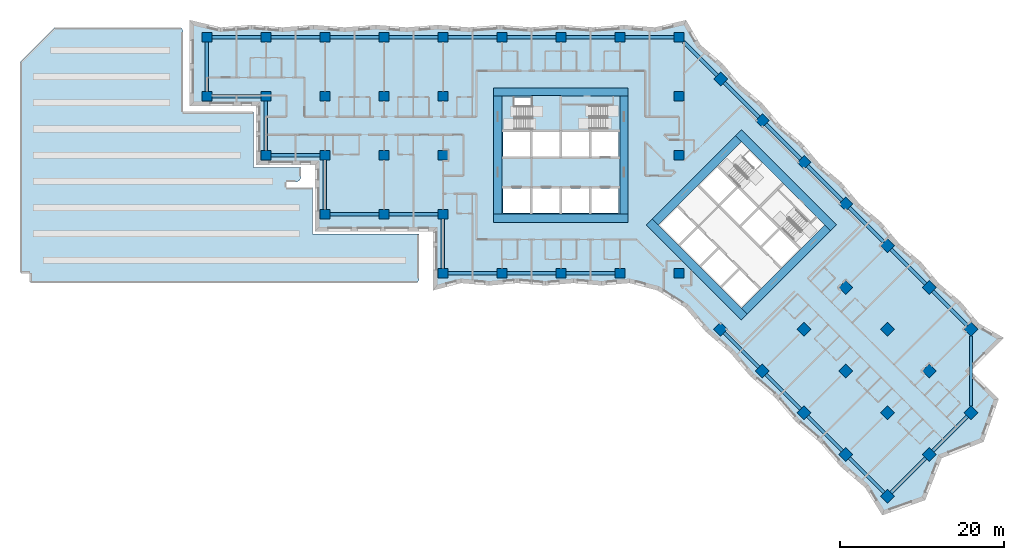
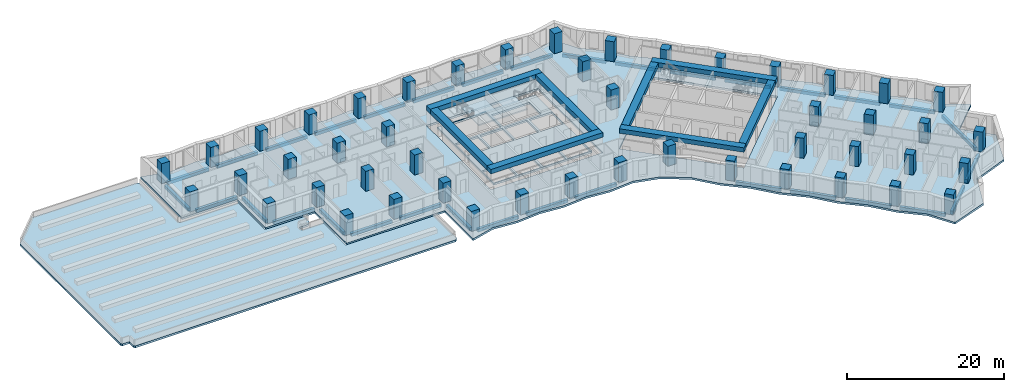
# One storey, part 1 of 15: 48 columns, 41 beams, 5 slabs, 12 openings, 2 elements without a shape of their own.
"""IFC4 building model written with IfcOpenShell, lengths in metres."""

import ifcopenshell
import ifcopenshell.guid

model = None  # the IFC model being written
_history = None  # IfcOwnerHistory: only IFC2X3 demands one
_inside = {}  # id of a spatial element -> (the spatial element, [elements in it])
_under = {}  # id of a project, library or spatial element -> (it, [spatial elements below it])
_declared = {}  # id of a project -> (the project, [libraries it declares])
_typed = {}  # id of a type object -> (the type object, [elements of that type])
_made_of = {}  # id of a material, layer set ... -> (it, [elements and type objects made of it])


def new_model(schema):
    """Start an empty IFC model of exactly this schema.

    Asked for "IFC4X3", IfcOpenShell would pick the latest addendum, in which some entities
    have other attributes; the version numbers below select the first issue.
    IFC2X3 requires an IfcOwnerHistory on every rooted entity: one is made here for all.
    """
    global model, _history
    if schema == "IFC4X3":
        model = ifcopenshell.file(schema_version=(4, 3, 0, 0))
    else:
        model = ifcopenshell.file(schema=schema)
    _inside.clear()
    _under.clear()
    _declared.clear()
    _typed.clear()
    _made_of.clear()
    _history = None
    if model.schema == "IFC2X3":
        org = make("IfcOrganization", Name="unknown")
        user = make(
            "IfcPersonAndOrganization",
            ThePerson=make("IfcPerson", FamilyName="unknown"),
            TheOrganization=org,
        )
        app = make(
            "IfcApplication",
            ApplicationDeveloper=org,
            Version="unknown",
            ApplicationFullName="unknown",
            ApplicationIdentifier="unknown",
        )
        _history = make(
            "IfcOwnerHistory",
            OwningUser=user,
            OwningApplication=app,
            ChangeAction="ADDED",
            CreationDate=0,
        )
    return model


def make(cls, **values):
    """One entity of the class cls with the attributes given. An attribute that is None is left unset."""
    return model.create_entity(
        cls, **{name: value for name, value in values.items() if value is not None}
    )


def rooted(cls, **values):
    """An entity with a GlobalId (a new one), such as an element, a storey or a relation."""
    return make(cls, GlobalId=ifcopenshell.guid.new(), OwnerHistory=_history, **values)


def si_unit(unit_type, name, prefix=None):
    """IfcSIUnit, for example si_unit("LENGTHUNIT", "METRE", prefix="MILLI")."""
    return make("IfcSIUnit", UnitType=unit_type, Prefix=prefix, Name=name)


def assignment(units):
    """IfcUnitAssignment: the units of a project."""
    return None if units is None else make("IfcUnitAssignment", Units=units)


def point(xyz):
    """IfcCartesianPoint."""
    return None if xyz is None else make("IfcCartesianPoint", Coordinates=xyz)


def direction(xyz):
    """IfcDirection."""
    return None if xyz is None else make("IfcDirection", DirectionRatios=xyz)


def frame(location, z_axis=None, x_axis=None):
    """IfcAxis2Placement3D, a coordinate frame: its origin and axes. An axis left out is left unset."""
    return make(
        "IfcAxis2Placement3D",
        Location=point(location),
        Axis=direction(z_axis),
        RefDirection=direction(x_axis),
    )


def frame_2d(location, x_axis=None):
    """IfcAxis2Placement2D, a coordinate frame in the plane: its origin and x axis."""
    return make(
        "IfcAxis2Placement2D", Location=point(location), RefDirection=direction(x_axis)
    )


def origin():
    """The frame at (0, 0, 0) with its axes left unset."""
    return frame((0.0, 0.0, 0.0))


def origin_2d():
    """The frame at (0, 0) in the plane with its x axis left unset."""
    return frame_2d((0.0, 0.0))


def place(relative_to, where):
    """IfcLocalPlacement: puts the frame where relative to a parent placement (None: the world)."""
    return make(
        "IfcLocalPlacement", PlacementRelTo=relative_to, RelativePlacement=where
    )


def context(
    kind, dimensions, precision=None, world=None, true_north=None, identifier=None
):
    """IfcGeometricRepresentationContext, for example the 3D "Model" context."""
    return make(
        "IfcGeometricRepresentationContext",
        ContextIdentifier=identifier,
        ContextType=kind,
        CoordinateSpaceDimension=dimensions,
        Precision=precision,
        WorldCoordinateSystem=world,
        TrueNorth=true_north,
    )


def subcontext(parent, identifier, kind, view, scale=None):
    """IfcGeometricRepresentationSubContext, for example "Body" below "Model"."""
    return make(
        "IfcGeometricRepresentationSubContext",
        ContextIdentifier=identifier,
        ContextType=kind,
        ParentContext=parent,
        TargetScale=scale,
        TargetView=view,
    )


def project(units=None, contexts=None):
    """IfcProject with its units and contexts."""
    return rooted(
        "IfcProject",
        Name="project",
        RepresentationContexts=contexts,
        UnitsInContext=assignment(units),
    )


def spatial(cls, under=None, at=None, **own):
    """A site, building, storey or space (cls), placed at a placement, below another one or the project."""
    s = rooted(cls, ObjectPlacement=at, **own)
    if under is not None:
        _under.setdefault(under.id(), (under, []))[1].append(s)
    return s


def polyline(points):
    """IfcPolyline through the points."""
    return make("IfcPolyline", Points=[point(p) for p in points])


def profile(cls, at=None, kind="AREA", **sizes):
    """A parametric profile (cls). Its sizes go by their IFC names, for example OverallWidth=200.0."""
    return make(cls, ProfileType=kind, Position=at, **sizes)


def rectangle(**sizes):
    """IfcRectangleProfileDef."""
    return profile("IfcRectangleProfileDef", **sizes)


def outline(outer, holes=None, kind="AREA"):
    """IfcArbitraryClosedProfileDef: a profile drawn as a closed curve; with holes, ...WithVoids."""
    if holes is None:
        return make("IfcArbitraryClosedProfileDef", ProfileType=kind, OuterCurve=outer)
    return make(
        "IfcArbitraryProfileDefWithVoids",
        ProfileType=kind,
        OuterCurve=outer,
        InnerCurves=holes,
    )


def extrude(swept, where, along, depth):
    """IfcExtrudedAreaSolid: the profile swept, set in the frame where, extruded along a direction by depth."""
    return make(
        "IfcExtrudedAreaSolid",
        SweptArea=swept,
        Position=where,
        ExtrudedDirection=direction(along),
        Depth=depth,
    )


def shape(context_of_items, identifier, shape_type, items):
    """IfcShapeRepresentation: the items that make up one representation, for example the "Body"."""
    return make(
        "IfcShapeRepresentation",
        ContextOfItems=context_of_items,
        RepresentationIdentifier=identifier,
        RepresentationType=shape_type,
        Items=items,
    )


def material(Name=None, Category=None):
    """IfcMaterial."""
    return make("IfcMaterial", Name=Name, Category=Category)


def layer(
    of_material, thickness, ventilated=None, Name=None, Category=None, Priority=None
):
    """IfcMaterialLayer: one layer of a wall or slab, of a material (None: an air gap)."""
    return make(
        "IfcMaterialLayer",
        Material=of_material,
        LayerThickness=thickness,
        IsVentilated=ventilated,
        Name=Name,
        Category=Category,
        Priority=Priority,
    )


def layer_set(layers, Name=None):
    """IfcMaterialLayerSet."""
    return make("IfcMaterialLayerSet", MaterialLayers=layers, LayerSetName=Name)


def material_profile(
    of_material, cross_section, Name=None, Category=None, Priority=None
):
    """IfcMaterialProfile: a cross section and its material."""
    return make(
        "IfcMaterialProfile",
        Name=Name,
        Material=of_material,
        Profile=cross_section,
        Priority=Priority,
        Category=Category,
    )


def profile_set(profiles, Name=None, composite=None):
    """IfcMaterialProfileSet."""
    return make(
        "IfcMaterialProfileSet",
        Name=Name,
        MaterialProfiles=profiles,
        CompositeProfile=composite,
    )


def made_of(thing, what):
    """Note that an element or type object is made of a material, layer set ...; save() writes the relation."""
    if what is not None:
        _made_of.setdefault(what.id(), (what, []))[1].append(thing)
    return thing


def type_object(cls, material=None, **own):
    """A type object (cls), such as IfcWallType, which elements share."""
    return made_of(rooted(cls, **own), material)


def element(
    cls,
    number,
    at=None,
    inside=None,
    cuts=None,
    type_object=None,
    material=None,
    context=None,
    identifier="Body",
    shape_type=None,
    held_by="IfcProductDefinitionShape",
    body=None,
    shapes=None,
    **own,
):
    """One element of the class cls, such as IfcWall. Its Tag is "e" and its number.

    at: its placement. inside: the storey or other place that contains it. cuts: it is an
    opening in that element (IfcRelVoidsElement). A single representation is given by context,
    identifier, shape_type and body (its items); several are given by shapes. held_by: the class
    of the entity that holds the representations. save() writes the other relations.
    """
    e = rooted(cls, Tag="e%d" % number, ObjectPlacement=at, **own)
    if body is not None:
        shapes = [shape(context, identifier, shape_type, body)]
    if shapes is not None:
        e.Representation = make(held_by, Representations=shapes)
    if inside is not None:
        _inside.setdefault(inside.id(), (inside, []))[1].append(e)
    if cuts is not None:
        rooted(
            "IfcRelVoidsElement", RelatingBuildingElement=cuts, RelatedOpeningElement=e
        )
    if type_object is not None:
        _typed.setdefault(type_object.id(), (type_object, []))[1].append(e)
    return made_of(e, material)


def aggregate(whole, parts):
    """IfcRelAggregates: a whole, such as a stair, and the parts it consists of."""
    return rooted("IfcRelAggregates", RelatingObject=whole, RelatedObjects=parts)


def save(model, path):
    """Write the relations noted so far, then the file.

    IfcRelAggregates (storeys below a building ...), IfcRelContainedInSpatialStructure (elements
    in a storey), IfcRelDefinesByType, IfcRelAssociatesMaterial and IfcRelDeclares: one each for
    every whole, place, type object, material and project.
    """
    for whole, parts in _under.values():
        aggregate(whole, parts)
    for where, things in _inside.values():
        rooted(
            "IfcRelContainedInSpatialStructure",
            RelatedElements=things,
            RelatingStructure=where,
        )
    for kind, things in _typed.values():
        rooted("IfcRelDefinesByType", RelatedObjects=things, RelatingType=kind)
    for what, things in _made_of.values():
        rooted("IfcRelAssociatesMaterial", RelatedObjects=things, RelatingMaterial=what)
    for by, libraries in _declared.values():
        rooted("IfcRelDeclares", RelatingContext=by, RelatedDefinitions=libraries)
    model.write(path)


model = new_model("IFC4")

# Units and contexts
model_context = context("Model", 3, precision=1e-05, world=origin(), true_north=direction((0.0, 1.0)))
body_context = subcontext(model_context, "Body", "Model", "MODEL_VIEW")
ifc_project = project(units=[si_unit("LENGTHUNIT", "METRE"), si_unit("AREAUNIT", "SQUARE_METRE"), si_unit("VOLUMEUNIT", "CUBIC_METRE"), si_unit("PLANEANGLEUNIT", "RADIAN"), si_unit("MASSUNIT", "GRAM", prefix="KILO")], contexts=[model_context])

# Site, building, storey
site_placement = place(None, origin())
site = spatial("IfcSite", under=ifc_project, at=site_placement, CompositionType="ELEMENT")
building_placement = place(site_placement, origin())
building = spatial("IfcBuilding", under=site, at=building_placement, Name="Windrow Commons", CompositionType="ELEMENT")
storey_placement = place(building_placement, frame((0.0, 0.0, 27.0)))
storey = spatial("IfcBuildingStorey", under=building, at=storey_placement, Name="L06", CompositionType="ELEMENT", Elevation=27.0)

# Columns
ifc_material_1 = material(Name="Concrete C60/75", Category="concrete")
ifc_material_profile_1 = material_profile(ifc_material_1, rectangle(XDim=1.2, YDim=1.2, at=origin_2d()))
ifc_profile_set_1 = profile_set([ifc_material_profile_1], Name="Concrete C60/75")
column_type = type_object("IfcColumnType", Name="RC COLUMN 1200x1200 C60/75", PredefinedType="COLUMN", material=ifc_profile_set_1)
for number, where, z_axis, x_axis, name in (
    (1, (21.6, 64.8, 0.0), (0.0, 0.0, 1.0), (1.0, 0.0, 0.0), "C-Z1-04I"),
    (2, (21.6, 72.0, 0.0), (0.0, 0.0, 1.0), (1.0, 0.0, 0.0), "C-Z1-04J"),
    (3, (28.8, 57.6, 0.0), (0.0, 0.0, 1.0), (1.0, 0.0, 0.0), "C-Z1-05H"),
    (4, (28.8, 64.8, 0.0), (0.0, 0.0, 1.0), (1.0, 0.0, 0.0), "C-Z1-05I"),
    (5, (28.8, 72.0, 0.0), (0.0, 0.0, 1.0), (1.0, 0.0, 0.0), "C-Z1-05J"),
    (6, (36.0, 50.4, 0.0), (0.0, 0.0, 1.0), (1.0, 0.0, 0.0), "C-Z1-06G"),
    (7, (36.0, 57.6, 0.0), (0.0, 0.0, 1.0), (1.0, 0.0, 0.0), "C-Z1-06H"),
    (8, (36.0, 64.8, 0.0), (0.0, 0.0, 1.0), (1.0, 0.0, 0.0), "C-Z1-06I"),
    (9, (36.0, 72.0, 0.0), (0.0, 0.0, 1.0), (1.0, 0.0, 0.0), "C-Z1-06J"),
    (10, (43.2, 50.4, 0.0), (0.0, 0.0, 1.0), (1.0, 0.0, 0.0), "C-Z1-07G"),
    (11, (43.2, 57.6, 0.0), (0.0, 0.0, 1.0), (1.0, 0.0, 0.0), "C-Z1-07H"),
    (12, (43.2, 64.8, 0.0), (0.0, 0.0, 1.0), (1.0, 0.0, 0.0), "C-Z1-07I"),
    (13, (43.2, 72.0, 0.0), (0.0, 0.0, 1.0), (1.0, 0.0, 0.0), "C-Z1-07J"),
    (14, (50.4, 43.2, 0.0), (0.0, 0.0, 1.0), (1.0, 0.0, 0.0), "C-Z1-08F"),
    (15, (50.4, 50.4, 0.0), (0.0, 0.0, 1.0), (1.0, 0.0, 0.0), "C-Z1-08G"),
    (16, (50.4, 57.6, 0.0), (0.0, 0.0, 1.0), (1.0, 0.0, 0.0), "C-Z1-08H"),
    (17, (50.4, 64.8, 0.0), (0.0, 0.0, 1.0), (1.0, 0.0, 0.0), "C-Z1-08I"),
    (18, (50.4, 72.0, 0.0), (0.0, 0.0, 1.0), (1.0, 0.0, 0.0), "C-Z1-08J"),
    (19, (57.6, 43.2, 0.0), (0.0, 0.0, 1.0), (1.0, 0.0, 0.0), "C-Z1-09F"),
    (20, (57.6, 72.0, 0.0), (0.0, 0.0, 1.0), (1.0, 0.0, 0.0), "C-Z1-09J"),
    (21, (64.8, 43.2, 0.0), (0.0, 0.0, 1.0), (1.0, 0.0, 0.0), "C-Z1-10F"),
    (22, (64.8, 72.0, 0.0), (0.0, 0.0, 1.0), (1.0, 0.0, 0.0), "C-Z1-10J"),
    (23, (72.0, 43.2, 0.0), (0.0, 0.0, 1.0), (1.0, 0.0, 0.0), "C-Z1-11F"),
    (24, (72.0, 72.0, 0.0), (0.0, 0.0, 1.0), (1.0, 0.0, 0.0), "C-Z1-11J"),
    (25, (79.2, 43.2, 0.0), (0.0, 0.0, 1.0), (1.0, 0.0, 0.0), "C-Z1-12F"),
    (26, (79.2, 57.6, 0.0), (0.0, 0.0, 1.0), (1.0, 0.0, 0.0), "C-Z1-12H"),
    (27, (79.2, 64.8, 0.0), (0.0, 0.0, 1.0), (1.0, 0.0, 0.0), "C-Z1-12I"),
    (28, (79.2, 72.0, 0.0), (0.0, 0.0, 1.0), (1.0, 0.0, 0.0), "C-Z1-12J"),
    (29, (84.2912, 66.9088, 0.0), (0.0, 0.0, 1.0), (0.7071067812, -0.7071067812, 0.0), "C-Z1-P2Q"),
    (30, (89.3823, 61.8177, 0.0), (0.0, 0.0, 1.0), (0.7071067812, -0.7071067812, 0.0), "C-Z1-P3Q"),
    (31, (94.4735, 56.7265, 0.0), (0.0, 0.0, 1.0), (0.7071067812, -0.7071067812, 0.0), "C-Z1-P4Q"),
    (32, (99.5647, 51.6353, 0.0), (0.0, 0.0, 1.0), (0.7071067812, -0.7071067812, 0.0), "C-Z1-P5Q"),
    (33, (84.2912, 36.3618, 0.0), (0.0, 0.0, 1.0), (0.7071067812, -0.7071067812, 0.0), "C-Z1-P5T"),
    (34, (104.6558, 46.5442, 0.0), (0.0, 0.0, 1.0), (0.7071067812, -0.7071067812, 0.0), "C-Z1-P6Q"),
    (35, (99.5647, 41.453, 0.0), (0.0, 0.0, 1.0), (0.7071067812, -0.7071067812, 0.0), "C-Z1-P6R"),
    (36, (94.4735, 36.3618, 0.0), (0.0, 0.0, 1.0), (0.7071067812, -0.7071067812, 0.0), "C-Z1-P6S"),
    (37, (89.3823, 31.2706, 0.0), (0.0, 0.0, 1.0), (0.7071067812, -0.7071067812, 0.0), "C-Z1-P6T"),
    (38, (109.747, 41.453, 0.0), (0.0, 0.0, 1.0), (0.7071067812, -0.7071067812, 0.0), "C-Z1-P7Q"),
    (39, (104.6558, 36.3618, 0.0), (0.0, 0.0, 1.0), (0.7071067812, -0.7071067812, 0.0), "C-Z1-P7R"),
    (40, (99.5647, 31.2706, 0.0), (0.0, 0.0, 1.0), (0.7071067812, -0.7071067812, 0.0), "C-Z1-P7S"),
    (41, (94.4735, 26.1795, 0.0), (0.0, 0.0, 1.0), (0.7071067812, -0.7071067812, 0.0), "C-Z1-P7T"),
    (42, (114.8382, 36.3618, 0.0), (0.0, 0.0, 1.0), (0.7071067812, -0.7071067812, 0.0), "C-Z1-P8Q"),
    (43, (109.747, 31.2706, 0.0), (0.0, 0.0, 1.0), (0.7071067812, -0.7071067812, 0.0), "C-Z1-P8R"),
    (44, (104.6558, 26.1795, 0.0), (0.0, 0.0, 1.0), (0.7071067812, -0.7071067812, 0.0), "C-Z1-P8S"),
    (45, (99.5647, 21.0883, 0.0), (0.0, 0.0, 1.0), (0.7071067812, -0.7071067812, 0.0), "C-Z1-P8T"),
    (46, (114.8382, 26.1795, 0.0), (0.0, 0.0, 1.0), (0.7071067812, -0.7071067812, 0.0), "C-Z1-P9R"),
    (47, (109.747, 21.0883, 0.0), (0.0, 0.0, 1.0), (0.7071067812, -0.7071067812, 0.0), "C-Z1-P9S"),
    (48, (104.6558, 15.9971, 0.0), (0.0, 0.0, 1.0), (0.7071067812, -0.7071067812, 0.0), "C-Z1-P9T"),
):
    element("IfcColumn", number, at=place(storey_placement, frame(where, z_axis=z_axis, x_axis=x_axis)), inside=storey, type_object=column_type, Name=name, PredefinedType="COLUMN", context=body_context, shape_type="SweptSolid", body=[
        extrude(rectangle(XDim=1.2, YDim=1.2, at=origin_2d()), origin(), (0.0, 0.0, 1.0), 3.1),
    ])

# Beams
ifc_material_2 = material(Name="Concrete C60/75", Category="concrete")
ifc_material_profile_2 = material_profile(ifc_material_2, rectangle(XDim=1.0, YDim=0.7, at=origin_2d()))
ifc_profile_set_2 = profile_set([ifc_material_profile_2], Name="Concrete C60/75")
beam_type_1 = type_object("IfcBeamType", Name="RC COUPLING BEAM 1000x700 C60/75", PredefinedType="LINTEL", material=ifc_profile_set_2)
for number, where, z_axis, x_axis, name in (
    (49, (56.6, 49.9, 2.75), (1.0, 0.0, 0.0), (0.0, 1.0, 0.0), "Core A coupling beam outer-S"),
    (50, (56.6, 65.3, 2.75), (1.0, 0.0, 0.0), (0.0, 1.0, 0.0), "Core A coupling beam outer-N"),
):
    element("IfcBeam", number, at=place(storey_placement, frame(where, z_axis=z_axis, x_axis=x_axis)), inside=storey, type_object=beam_type_1, Name=name, PredefinedType="LINTEL", context=body_context, shape_type="SweptSolid", body=[
        extrude(rectangle(XDim=1.0, YDim=0.7, at=origin_2d()), origin(), (0.0, 0.0, 1.0), 16.4),
    ])
for number, where, z_axis, x_axis, name in (
    (51, (57.1, 50.4, 2.75), (0.0, 1.0, 0.0), (-1.0, 0.0, 0.0), "Core A coupling beam outer-W"),
    (52, (72.5, 50.4, 2.75), (0.0, 1.0, 0.0), (-1.0, 0.0, 0.0), "Core A coupling beam outer-E"),
):
    element("IfcBeam", number, at=place(storey_placement, frame(where, z_axis=z_axis, x_axis=x_axis)), inside=storey, type_object=beam_type_1, Name=name, PredefinedType="LINTEL", context=body_context, shape_type="SweptSolid", body=[
        extrude(rectangle(XDim=1.0, YDim=0.7, at=origin_2d()), origin(), (0.0, 0.0, 1.0), 14.4),
    ])
for number, where, z_axis, x_axis, name in (
    (53, (75.5938, 49.4433, 2.75), (0.7071037324, -0.70710983, 0.0), (0.70710983, 0.7071037324, 0.0), "Core B coupling beam outer-S"),
    (54, (86.4832, 60.3327, 2.75), (0.70710983, -0.7071037324, 0.0), (0.7071037324, 0.70710983, 0.0), "Core B coupling beam outer-N"),
):
    element("IfcBeam", number, at=place(storey_placement, frame(where, z_axis=z_axis, x_axis=x_axis)), inside=storey, type_object=beam_type_1, Name=name, PredefinedType="LINTEL", context=body_context, shape_type="SweptSolid", body=[
        extrude(rectangle(XDim=1.0, YDim=0.7, at=origin_2d()), origin(), (0.0, 0.0, 1.0), 16.4),
    ])
beam_1_placement = place(storey_placement, frame((76.3009, 49.4433, 2.75), z_axis=(0.7071067812, 0.7071067812, 0.0), x_axis=(-0.7071067812, 0.7071067812, 0.0)))
element("IfcBeam", 55, at=beam_1_placement, inside=storey, type_object=beam_type_1, Name="Core B coupling beam outer-W", PredefinedType="LINTEL", context=body_context, shape_type="SweptSolid", body=[
    extrude(rectangle(XDim=1.0, YDim=0.7, at=origin_2d()), origin(), (0.0, 0.0, 1.0), 14.3999),
])
beam_2_placement = place(storey_placement, frame((87.1903, 38.5538, 2.75), z_axis=(0.707103309, 0.7071102534, 0.0), x_axis=(-0.7071102534, 0.707103309, 0.0)))
element("IfcBeam", 56, at=beam_2_placement, inside=storey, type_object=beam_type_1, Name="Core B coupling beam outer-E", PredefinedType="LINTEL", context=body_context, shape_type="SweptSolid", body=[
    extrude(rectangle(XDim=1.0, YDim=0.7, at=origin_2d()), origin(), (0.0, 0.0, 1.0), 14.4),
])
ifc_material_3 = material(Name="Concrete C60/75", Category="concrete")
ifc_material_profile_3 = material_profile(ifc_material_3, rectangle(XDim=0.4, YDim=0.5, at=origin_2d()))
ifc_profile_set_3 = profile_set([ifc_material_profile_3], Name="Concrete C60/75")
beam_type_2 = type_object("IfcBeamType", Name="RC EDGE BEAM 400x500 C60/75", PredefinedType="SPANDREL", material=ifc_profile_set_3)
for number, where, z_axis, x_axis, name in (
    (57, (42.6, 50.4, -0.55), (-1.0, 0.0, 0.0), (0.0, -1.0, 0.0), "Edge beam L06 001"),
    (58, (36.0, 51.0, -0.55), (0.0, 1.0, 0.0), (-1.0, 0.0, 0.0), "Edge beam L06 002"),
    (59, (35.4, 57.6, -0.55), (-1.0, 0.0, 0.0), (0.0, -1.0, 0.0), "Edge beam L06 003"),
    (60, (28.8, 58.2, -0.55), (0.0, 1.0, 0.0), (-1.0, 0.0, 0.0), "Edge beam L06 004"),
    (61, (28.2, 64.8, -0.55), (-1.0, 0.0, 0.0), (0.0, -1.0, 0.0), "Edge beam L06 005"),
    (62, (21.6, 65.4, -0.55), (0.0, 1.0, 0.0), (-1.0, 0.0, 0.0), "Edge beam L06 006"),
    (63, (22.2, 72.0, -0.55), (1.0, 0.0, 0.0), (0.0, 1.0, 0.0), "Edge beam L06 007"),
    (64, (29.4, 72.0, -0.55), (1.0, 0.0, 0.0), (0.0, 1.0, 0.0), "Edge beam L06 008"),
    (65, (36.6, 72.0, -0.55), (1.0, 0.0, 0.0), (0.0, 1.0, 0.0), "Edge beam L06 009"),
    (66, (43.8, 72.0, -0.55), (1.0, 0.0, 0.0), (0.0, 1.0, 0.0), "Edge beam L06 010"),
    (67, (51.0, 72.0, -0.55), (1.0, 0.0, 0.0), (0.0, 1.0, 0.0), "Edge beam L06 011"),
    (68, (58.2, 72.0, -0.55), (1.0, 0.0, 0.0), (0.0, 1.0, 0.0), "Edge beam L06 012"),
    (69, (65.4, 72.0, -0.55), (1.0, 0.0, 0.0), (0.0, 1.0, 0.0), "Edge beam L06 013"),
    (70, (72.6, 72.0, -0.55), (1.0, 0.0, 0.0), (0.0, 1.0, 0.0), "Edge beam L06 014"),
):
    element("IfcBeam", number, at=place(storey_placement, frame(where, z_axis=z_axis, x_axis=x_axis)), inside=storey, type_object=beam_type_2, Name=name, PredefinedType="SPANDREL", context=body_context, shape_type="SweptSolid", body=[
        extrude(rectangle(XDim=0.4, YDim=0.5, at=origin_2d()), origin(), (0.0, 0.0, 1.0), 6.0),
    ])
beam_3_placement = place(storey_placement, frame((79.8, 71.4, -0.55), z_axis=(0.7071067812, -0.7071067812, 0.0), x_axis=(0.7071067812, 0.7071067812, 0.0)))
element("IfcBeam", 71, at=beam_3_placement, inside=storey, type_object=beam_type_2, Name="Edge beam L06 015", PredefinedType="SPANDREL", context=body_context, shape_type="SweptSolid", body=[
    extrude(rectangle(XDim=0.4, YDim=0.5, at=origin_2d()), origin(), (0.0, 0.0, 1.0), 5.7515),
])
beam_4_placement = place(storey_placement, frame((84.7155, 66.4845, -0.55), z_axis=(0.7071067812, -0.7071067812, 0.0), x_axis=(0.7071067812, 0.7071067812, 0.0)))
element("IfcBeam", 72, at=beam_4_placement, inside=storey, type_object=beam_type_2, Name="Edge beam L06 016", PredefinedType="SPANDREL", context=body_context, shape_type="SweptSolid", body=[
    extrude(rectangle(XDim=0.4, YDim=0.5, at=origin_2d()), origin(), (0.0, 0.0, 1.0), 5.9998),
])
for number, where, z_axis, x_axis, name in (
    (73, (89.8066, 61.3934, -0.55), (0.7071067812, -0.7071067812, 0.0), (0.7071067812, 0.7071067812, 0.0), "Edge beam L06 017"),
    (74, (94.8978, 56.3022, -0.55), (0.7071067812, -0.7071067812, 0.0), (0.7071067812, 0.7071067812, 0.0), "Edge beam L06 018"),
):
    element("IfcBeam", number, at=place(storey_placement, frame(where, z_axis=z_axis, x_axis=x_axis)), inside=storey, type_object=beam_type_2, Name=name, PredefinedType="SPANDREL", context=body_context, shape_type="SweptSolid", body=[
        extrude(rectangle(XDim=0.4, YDim=0.5, at=origin_2d()), origin(), (0.0, 0.0, 1.0), 5.9999),
    ])
beam_5_placement = place(storey_placement, frame((99.989, 51.211, -0.55), z_axis=(0.7071067812, -0.7071067812, 0.0), x_axis=(0.7071067812, 0.7071067812, 0.0)))
element("IfcBeam", 75, at=beam_5_placement, inside=storey, type_object=beam_type_2, Name="Edge beam L06 019", PredefinedType="SPANDREL", context=body_context, shape_type="SweptSolid", body=[
    extrude(rectangle(XDim=0.4, YDim=0.5, at=origin_2d()), origin(), (0.0, 0.0, 1.0), 5.9998),
])
for number, where, z_axis, x_axis, name in (
    (76, (105.0801, 46.1199, -0.55), (0.7071067812, -0.7071067812, 0.0), (0.7071067812, 0.7071067812, 0.0), "Edge beam L06 020"),
    (77, (110.1713, 41.0287, -0.55), (0.7071067812, -0.7071067812, 0.0), (0.7071067812, 0.7071067812, 0.0), "Edge beam L06 021"),
):
    element("IfcBeam", number, at=place(storey_placement, frame(where, z_axis=z_axis, x_axis=x_axis)), inside=storey, type_object=beam_type_2, Name=name, PredefinedType="SPANDREL", context=body_context, shape_type="SweptSolid", body=[
        extrude(rectangle(XDim=0.4, YDim=0.5, at=origin_2d()), origin(), (0.0, 0.0, 1.0), 5.9999),
    ])
beam_6_placement = place(storey_placement, frame((114.8382, 35.5133, -0.55), z_axis=(0.0, -1.0, 0.0), x_axis=(1.0, 0.0, 0.0)))
element("IfcBeam", 78, at=beam_6_placement, inside=storey, type_object=beam_type_2, Name="Edge beam L06 022", PredefinedType="SPANDREL", context=body_context, shape_type="SweptSolid", body=[
    extrude(rectangle(XDim=0.4, YDim=0.5, at=origin_2d()), origin(), (0.0, 0.0, 1.0), 8.4853),
])
for number, where, z_axis, x_axis, name in (
    (79, (114.4139, 25.7552, -0.55), (-0.7071067812, -0.7071067812, 0.0), (0.7071067812, -0.7071067812, 0.0), "Edge beam L06 023"),
    (80, (109.3227, 20.664, -0.55), (-0.7071067812, -0.7071067812, 0.0), (0.7071067812, -0.7071067812, 0.0), "Edge beam L06 024"),
    (81, (104.2315, 16.4214, -0.55), (-0.7070984476, 0.7071151146, 0.0), (-0.7071151146, -0.7070984476, 0.0), "Edge beam L06 025"),
    (82, (99.1404, 21.5126, -0.55), (-0.7071067812, 0.7071067812, 0.0), (-0.7071067812, -0.7071067812, 0.0), "Edge beam L06 026"),
    (83, (94.0492, 26.6038, -0.55), (-0.7071151146, 0.7070984476, 0.0), (-0.7070984476, -0.7071151146, 0.0), "Edge beam L06 027"),
    (84, (88.958, 31.6949, -0.55), (-0.7070984476, 0.7071151146, 0.0), (-0.7071151146, -0.7070984476, 0.0), "Edge beam L06 028"),
):
    element("IfcBeam", number, at=place(storey_placement, frame(where, z_axis=z_axis, x_axis=x_axis)), inside=storey, type_object=beam_type_2, Name=name, PredefinedType="SPANDREL", context=body_context, shape_type="SweptSolid", body=[
        extrude(rectangle(XDim=0.4, YDim=0.5, at=origin_2d()), origin(), (0.0, 0.0, 1.0), 5.9999),
    ])
for number, where, z_axis, x_axis, name in (
    (85, (71.4, 43.2, -0.55), (-1.0, 0.0, 0.0), (0.0, -1.0, 0.0), "Edge beam L06 029"),
    (86, (64.2, 43.2, -0.55), (-1.0, 0.0, 0.0), (0.0, -1.0, 0.0), "Edge beam L06 030"),
    (87, (57.0, 43.2, -0.55), (-1.0, 0.0, 0.0), (0.0, -1.0, 0.0), "Edge beam L06 031"),
    (88, (50.4, 43.8, -0.55), (0.0, 1.0, 0.0), (-1.0, 0.0, 0.0), "Edge beam L06 032"),
    (89, (49.8, 50.4, -0.55), (-1.0, 0.0, 0.0), (0.0, -1.0, 0.0), "Edge beam L06 033"),
):
    element("IfcBeam", number, at=place(storey_placement, frame(where, z_axis=z_axis, x_axis=x_axis)), inside=storey, type_object=beam_type_2, Name=name, PredefinedType="SPANDREL", context=body_context, shape_type="SweptSolid", body=[
        extrude(rectangle(XDim=0.4, YDim=0.5, at=origin_2d()), origin(), (0.0, 0.0, 1.0), 6.0),
    ])

# Slab, openings
ifc_material_4 = material(Name="Concrete C60/75", Category="concrete")
ifc_layer_1 = layer(ifc_material_4, 0.3)
ifc_layer_set_1 = layer_set([ifc_layer_1], Name="CORE FLOOR SLAB 300 C60/75")
slab_type_1 = type_object("IfcSlabType", Name="CORE FLOOR SLAB 300 C60/75", PredefinedType="FLOOR", material=ifc_layer_set_1)
placement_1 = place(storey_placement, frame((0.0, 0.0, -0.3)))
slab_1 = element("IfcSlab", 90, at=placement_1, inside=storey, type_object=slab_type_1, Name="S-L06-core-A", PredefinedType="FLOOR", context=body_context, shape_type="SweptSolid", body=[
    extrude(outline(polyline([(57.6, 50.4), (72.0, 50.4), (72.0, 64.8), (57.6, 64.8), (57.6, 50.4)]), holes=[polyline([(57.75, 50.55), (61.05, 50.55), (61.05, 53.55), (57.75, 53.55), (57.75, 50.55)]), polyline([(61.35, 50.55), (64.65, 50.55), (64.65, 53.55), (61.35, 53.55), (61.35, 50.55)]), polyline([(64.95, 50.55), (68.25, 50.55), (68.25, 53.55), (64.95, 53.55), (64.95, 50.55)]), polyline([(68.55, 50.55), (71.85, 50.55), (71.85, 53.55), (68.55, 53.55), (68.55, 50.55)]), polyline([(57.75, 57.45), (61.05, 57.45), (61.05, 60.45), (57.75, 60.45), (57.75, 57.45)]), polyline([(61.35, 57.45), (64.65, 57.45), (64.65, 60.45), (61.35, 60.45), (61.35, 57.45)]), polyline([(64.95, 57.45), (68.25, 57.45), (68.25, 60.45), (64.95, 60.45), (64.95, 57.45)]), polyline([(68.55, 57.45), (71.85, 57.45), (71.85, 60.45), (68.55, 60.45), (68.55, 57.45)]), polyline([(59.1, 60.75), (64.65, 60.75), (64.65, 64.65), (59.1, 64.65), (59.1, 60.75)]), polyline([(64.95, 60.75), (70.5, 60.75), (70.5, 63.705), (64.95, 63.705), (64.95, 60.75)])]), origin(), (0.0, 0.0, 1.0), 0.3),
])
opening_1_placement = place(placement_1, origin())
element("IfcOpeningElement", 91, at=opening_1_placement, cuts=slab_1, Name="Slab opening S-L06-core-A 1", PredefinedType="OPENING", context=body_context, shape_type="SweptSolid", body=[
    extrude(outline(polyline([(57.755, 50.555), (57.755, 53.545), (61.045, 53.545), (61.045, 50.555), (57.755, 50.555)])), origin(), (0.0, 0.0, 1.0), 0.3),
])
opening_2_placement = place(placement_1, origin())
element("IfcOpeningElement", 92, at=opening_2_placement, cuts=slab_1, Name="Slab opening S-L06-core-A 2", PredefinedType="OPENING", context=body_context, shape_type="SweptSolid", body=[
    extrude(outline(polyline([(61.355, 50.555), (61.355, 53.545), (64.645, 53.545), (64.645, 50.555), (61.355, 50.555)])), origin(), (0.0, 0.0, 1.0), 0.3),
])
opening_3_placement = place(placement_1, origin())
element("IfcOpeningElement", 93, at=opening_3_placement, cuts=slab_1, Name="Slab opening S-L06-core-A 3", PredefinedType="OPENING", context=body_context, shape_type="SweptSolid", body=[
    extrude(outline(polyline([(64.955, 50.555), (64.955, 53.545), (68.245, 53.545), (68.245, 50.555), (64.955, 50.555)])), origin(), (0.0, 0.0, 1.0), 0.3),
])
opening_4_placement = place(placement_1, origin())
element("IfcOpeningElement", 94, at=opening_4_placement, cuts=slab_1, Name="Slab opening S-L06-core-A 4", PredefinedType="OPENING", context=body_context, shape_type="SweptSolid", body=[
    extrude(outline(polyline([(68.555, 50.555), (68.555, 53.545), (71.845, 53.545), (71.845, 50.555), (68.555, 50.555)])), origin(), (0.0, 0.0, 1.0), 0.3),
])
opening_5_placement = place(placement_1, origin())
element("IfcOpeningElement", 95, at=opening_5_placement, cuts=slab_1, Name="Slab opening S-L06-core-A 5", PredefinedType="OPENING", context=body_context, shape_type="SweptSolid", body=[
    extrude(outline(polyline([(57.755, 57.455), (57.755, 60.445), (61.045, 60.445), (61.045, 57.455), (57.755, 57.455)])), origin(), (0.0, 0.0, 1.0), 0.3),
])
opening_6_placement = place(placement_1, origin())
element("IfcOpeningElement", 96, at=opening_6_placement, cuts=slab_1, Name="Slab opening S-L06-core-A 6", PredefinedType="OPENING", context=body_context, shape_type="SweptSolid", body=[
    extrude(outline(polyline([(61.355, 57.455), (61.355, 60.445), (64.645, 60.445), (64.645, 57.455), (61.355, 57.455)])), origin(), (0.0, 0.0, 1.0), 0.3),
])
opening_7_placement = place(placement_1, origin())
element("IfcOpeningElement", 97, at=opening_7_placement, cuts=slab_1, Name="Slab opening S-L06-core-A 7", PredefinedType="OPENING", context=body_context, shape_type="SweptSolid", body=[
    extrude(outline(polyline([(64.955, 57.455), (64.955, 60.445), (68.245, 60.445), (68.245, 57.455), (64.955, 57.455)])), origin(), (0.0, 0.0, 1.0), 0.3),
])
opening_8_placement = place(placement_1, origin())
element("IfcOpeningElement", 98, at=opening_8_placement, cuts=slab_1, Name="Slab opening S-L06-core-A 8", PredefinedType="OPENING", context=body_context, shape_type="SweptSolid", body=[
    extrude(outline(polyline([(68.555, 57.455), (68.555, 60.445), (71.845, 60.445), (71.845, 57.455), (68.555, 57.455)])), origin(), (0.0, 0.0, 1.0), 0.3),
])
opening_9_placement = place(placement_1, origin())
element("IfcOpeningElement", 99, at=opening_9_placement, cuts=slab_1, Name="Slab opening S-L06-core-A 9", PredefinedType="OPENING", context=body_context, shape_type="SweptSolid", body=[
    extrude(outline(polyline([(59.105, 60.755), (59.105, 64.645), (64.645, 64.645), (64.645, 60.755), (59.105, 60.755)])), origin(), (0.0, 0.0, 1.0), 0.3),
])
opening_10_placement = place(placement_1, origin())
element("IfcOpeningElement", 100, at=opening_10_placement, cuts=slab_1, Name="Slab opening S-L06-core-A 10", PredefinedType="OPENING", context=body_context, shape_type="SweptSolid", body=[
    extrude(outline(polyline([(64.955, 60.755), (64.955, 63.7), (70.495, 63.7), (70.495, 60.755), (64.955, 60.755)])), origin(), (0.0, 0.0, 1.0), 0.3),
])

# Stair, slab
ifc_material_5 = material(Name="Concrete C40/50", Category="concrete")
stair_type = type_object("IfcStairType", Name="Core stair", PredefinedType="HALF_TURN_STAIR", material=ifc_material_5)
placement_2 = place(storey_placement, origin())
stair_1 = element("IfcStair", 101, at=placement_2, inside=storey, type_object=stair_type, Name="L06 Exit stair A1 core A", PredefinedType="HALF_TURN_STAIR")
ifc_material_6 = material(Name="Concrete C40/50", Category="concrete")
ifc_layer_2 = layer(ifc_material_6, 0.2)
ifc_layer_set_2 = layer_set([ifc_layer_2], Name="Core stair landing")
slab_type_2 = type_object("IfcSlabType", Name="Core stair landing", PredefinedType="LANDING", material=ifc_layer_set_2)
placement_3 = place(storey_placement, frame((0.0, 0.0, 1.5)))
slab_2 = element("IfcSlab", 102, at=placement_3, type_object=slab_type_2, Name="ST-A1 landing 1", PredefinedType="LANDING", context=body_context, shape_type="SweptSolid", body=[
    extrude(outline(polyline([(61.22, 60.5), (64.8, 60.5), (64.8, 64.9), (61.22, 64.9), (61.22, 60.5)])), origin(), (0.0, 0.0, 1.0), 0.2),
])
aggregate(stair_1, [slab_2])

stair_2 = element("IfcStair", 103, at=placement_2, inside=storey, type_object=stair_type, Name="L06 Exit stair A2 core A", PredefinedType="HALF_TURN_STAIR")
slab_3 = element("IfcSlab", 104, at=placement_3, type_object=slab_type_2, Name="ST-A2 landing 1", PredefinedType="LANDING", context=body_context, shape_type="SweptSolid", body=[
    extrude(outline(polyline([(64.8, 60.5), (68.38, 60.5), (68.38, 63.855), (64.8, 63.855), (64.8, 60.5)])), origin(), (0.0, 0.0, 1.0), 0.2),
])
aggregate(stair_2, [slab_3])

# Slab, openings
ifc_material_7 = material(Name="Concrete C60/75", Category="concrete")
ifc_layer_3 = layer(ifc_material_7, 0.3)
ifc_layer_set_3 = layer_set([ifc_layer_3], Name="FLOOR SLAB 300 C60/75")
slab_type_3 = type_object("IfcSlabType", Name="FLOOR SLAB 300 C60/75", PredefinedType="FLOOR", material=ifc_layer_set_3)
slab_4 = element("IfcSlab", 105, at=placement_1, inside=storey, type_object=slab_type_3, Name="S-L06-floor", PredefinedType="FLOOR", context=body_context, shape_type="SweptSolid", body=[
    extrude(outline(polyline([(101.9122, 17.0437), (104.0194, 13.6637), (109.2697, 15.5198), (111.2673, 20.6287), (116.3761, 22.6262), (118.2323, 27.8765), (114.8382, 31.2706), (118.8687, 35.3012), (115.8074, 37.0897), (113.5946, 39.7268), (110.9575, 41.9396), (108.7447, 44.5766), (106.1077, 46.7894), (103.8949, 49.4265), (101.2578, 51.6393), (99.045, 54.2763), (96.408, 56.4891), (94.1952, 59.1262), (91.5581, 61.339), (89.3453, 63.976), (86.7083, 66.1888), (84.4955, 68.8259), (81.8584, 71.0387), (80.0699, 74.1), (76.2843, 73.2), (72.4987, 73.5), (68.713, 73.2), (64.9274, 73.5), (61.1418, 73.2), (57.3562, 73.5), (53.5706, 73.2), (49.7849, 73.5), (45.9993, 73.2), (42.2137, 73.5), (38.4281, 73.2), (34.6425, 73.5), (30.8569, 73.2), (27.0712, 73.5), (23.2856, 73.2), (19.5, 74.1), (19.5, 63.6), (27.6, 63.6), (27.6, 56.4), (34.8, 56.4), (34.8, 48.3), (49.2, 48.3), (49.2, 41.1), (52.6229, 42.0), (56.0458, 41.7), (59.4687, 42.0), (62.8916, 41.7), (66.3144, 42.0), (69.7373, 41.7), (73.1602, 42.0), (76.5831, 41.1), (79.9631, 38.9928), (82.4946, 36.037), (85.4504, 33.5055), (87.9819, 30.5497), (90.9377, 28.0182), (93.4691, 25.0625), (96.4249, 22.531), (98.9564, 19.5752), (101.9122, 17.0437)]), holes=[polyline([(75.2402, 49.0897), (86.8368, 60.6863), (98.4333, 49.0897), (86.8368, 37.4932), (75.2402, 49.0897)]), polyline([(56.6, 49.4), (56.6, 65.8), (73.0, 65.8), (73.0, 49.4), (56.6, 49.4)])]), origin(), (0.0, 0.0, 1.0), 0.3),
])
opening_11_placement = place(placement_1, origin())
element("IfcOpeningElement", 106, at=opening_11_placement, cuts=slab_4, Name="Slab opening S-L06-floor 1", PredefinedType="OPENING", context=body_context, shape_type="SweptSolid", body=[
    extrude(outline(polyline([(75.2473, 49.0897), (86.8368, 60.6792), (98.4262, 49.0897), (86.8368, 37.5003), (75.2473, 49.0897)])), origin(), (0.0, 0.0, 1.0), 0.3),
])
opening_12_placement = place(placement_1, origin())
element("IfcOpeningElement", 107, at=opening_12_placement, cuts=slab_4, Name="Slab opening S-L06-floor 2", PredefinedType="OPENING", context=body_context, shape_type="SweptSolid", body=[
    extrude(outline(polyline([(56.605, 49.405), (56.605, 65.795), (72.995, 65.795), (72.995, 49.405), (56.605, 49.405)])), origin(), (0.0, 0.0, 1.0), 0.3),
])

# Slab
ifc_material_8 = material(Name="Concrete C60/75", Category="concrete")
ifc_layer_4 = layer(ifc_material_8, 0.3)
ifc_layer_set_4 = layer_set([ifc_layer_4], Name="ROOF SLAB 300 C60/75")
slab_type_4 = type_object("IfcSlabType", Name="ROOF SLAB 300 C60/75", PredefinedType="ROOF", material=ifc_layer_set_4)
element("IfcSlab", 108, at=placement_1, inside=storey, type_object=slab_type_4, Name="Terrace slab L05-wingroof", PredefinedType="ROOF", context=body_context, shape_type="SweptSolid", body=[
    extrude(outline(polyline([(-1.1664, 68.9584), (-1.1739, 68.9493), (-1.2, 68.9141), (-1.2, 43.3651), (-1.1739, 43.3299), (-1.1677, 43.3224), (-1.1282, 43.2787), (-1.1213, 43.2718), (-1.0776, 43.2323), (-1.0701, 43.2261), (-1.0349, 43.2), (0.0, 43.2), (0.0, 42.1651), (0.0261, 42.1299), (0.0323, 42.1224), (0.0719, 42.0787), (0.0788, 42.0718), (0.1224, 42.0323), (0.13, 42.0261), (0.1651, 42.0), (47.1849, 42.0), (47.2201, 42.0261), (47.2276, 42.0323), (47.2713, 42.0718), (47.2782, 42.0788), (47.3177, 42.1224), (47.3239, 42.13), (47.359, 42.1773), (47.3644, 42.1854), (47.3947, 42.2359), (47.3993, 42.2445), (47.4245, 42.2978), (47.4283, 42.3068), (47.4481, 42.3622), (47.4509, 42.3716), (47.4652, 42.4287), (47.4672, 42.4383), (47.4758, 42.4966), (47.477, 42.5084), (47.4797, 42.5524), (47.4798, 42.559), (47.48, 42.5737), (47.48, 48.0), (34.5, 48.0), (34.5, 53.68), (32.4237, 53.68), (32.409, 53.6798), (32.4067, 53.6798), (32.3918, 53.6798), (32.391, 53.6798), (32.3763, 53.68), (31.3, 53.68), (31.3, 54.32), (32.3763, 54.32), (32.391, 54.3202), (32.3976, 54.3204), (32.4417, 54.3231), (32.4534, 54.3242), (32.5117, 54.3329), (32.5213, 54.3348), (32.5784, 54.3491), (32.5878, 54.3519), (32.6432, 54.3718), (32.6523, 54.3755), (32.7055, 54.4007), (32.7141, 54.4053), (32.7646, 54.4356), (32.7728, 54.441), (32.8201, 54.4761), (32.8276, 54.4823), (32.8713, 54.5218), (32.8782, 54.5288), (32.9177, 54.5724), (32.9239, 54.58), (32.959, 54.6273), (32.9644, 54.6354), (32.9947, 54.6859), (32.9993, 54.6945), (33.0245, 54.7478), (33.0283, 54.7568), (33.0481, 54.8122), (33.0509, 54.8216), (33.0652, 54.8787), (33.0672, 54.8883), (33.0758, 54.9466), (33.077, 54.9584), (33.0797, 55.0024), (33.0798, 55.009), (33.08, 55.0237), (33.08, 56.1), (27.3, 56.1), (27.3, 62.9), (18.68, 62.9), (18.68, 72.6263), (18.6798, 72.641), (18.6796, 72.6476), (18.6769, 72.6917), (18.6758, 72.7034), (18.6671, 72.7617), (18.6652, 72.7713), (18.6509, 72.8284), (18.6481, 72.8378), (18.6282, 72.8932), (18.6245, 72.9023), (18.5993, 72.9555), (18.5947, 72.9641), (18.5644, 73.0146), (18.559, 73.0228), (18.5239, 73.0701), (18.5177, 73.0776), (18.4782, 73.1213), (18.4712, 73.1282), (18.4276, 73.1677), (18.42, 73.1739), (18.3849, 73.2), (3.0858, 73.2), (3.0507, 73.1739), (3.0415, 73.1664), (3.0084, 73.1371), (3.0037, 73.1326), (2.9932, 73.1224), (-1.1224, 69.0068), (-1.1327, 68.9963), (-1.1372, 68.9915), (-1.1664, 68.9584)])), origin(), (0.0, 0.0, 1.0), 0.3),
])

save(model, "model.ifc")
